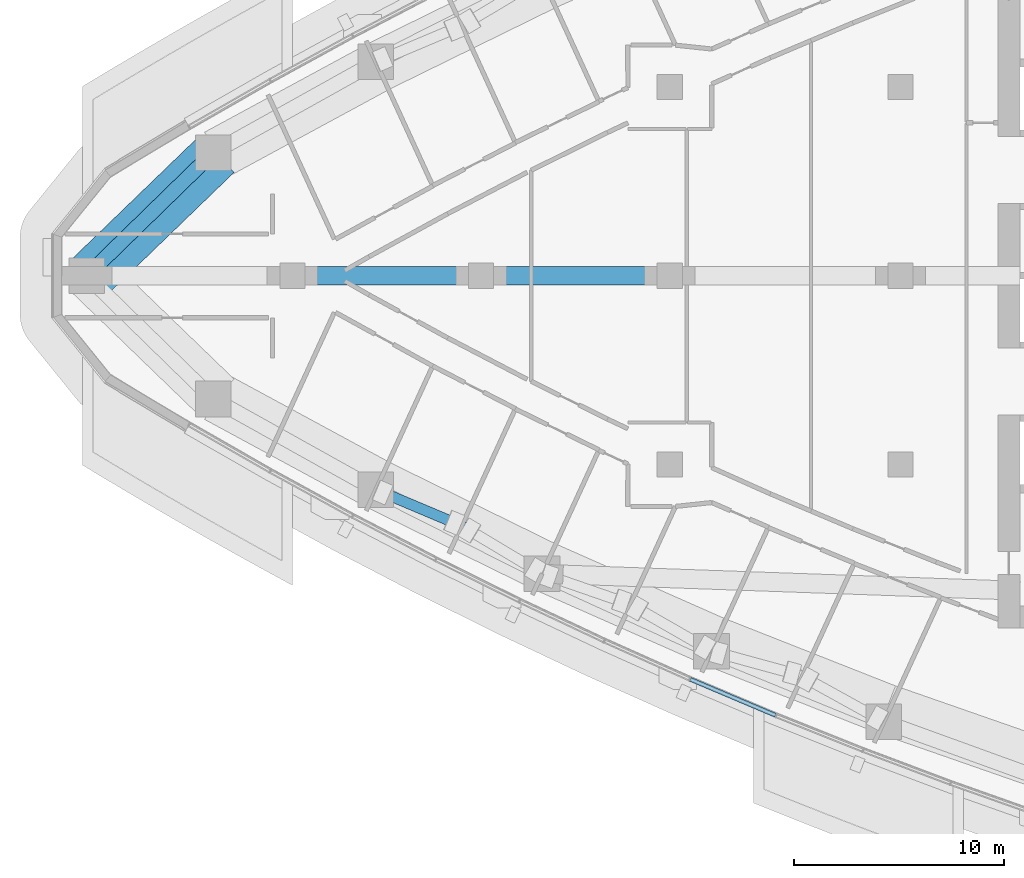
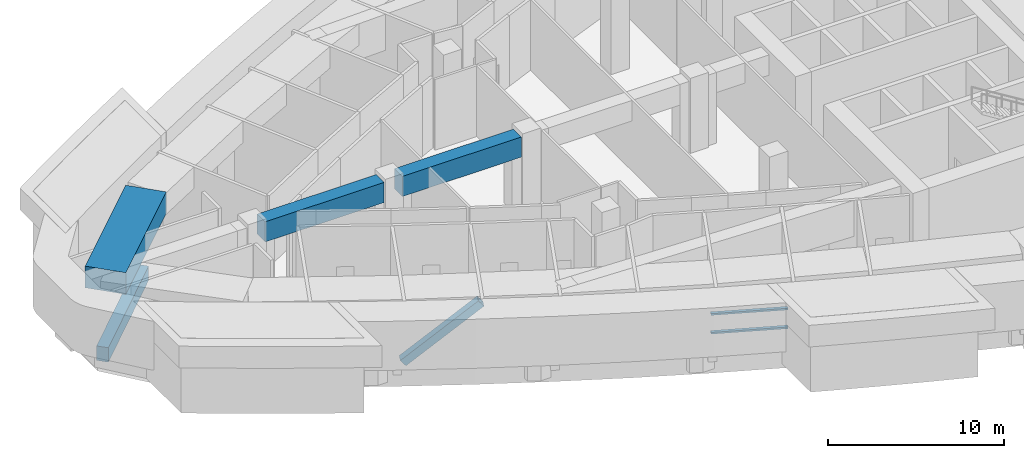
# One storey, part 3 of 19: 4 beams, 3 members, 1 element without a shape of its own.
"""IFC4 building model written with IfcOpenShell, lengths in metres."""

from ifc_helpers import new_model, si_unit, direction, frame, origin, origin_2d, place, context, subcontext, project, spatial, rectangle, hollow_rectangle, extrude, material, layer, layer_set, material_profile, profile_set, type_object, element, aggregate, save


model = new_model("IFC4")

# Units and contexts
model_context = context("Model", 3, precision=1e-05, world=origin(), true_north=direction((0.0, 1.0)))
body_context = subcontext(model_context, "Body", "Model", "MODEL_VIEW")
ifc_project = project(units=[si_unit("LENGTHUNIT", "METRE"), si_unit("AREAUNIT", "SQUARE_METRE"), si_unit("VOLUMEUNIT", "CUBIC_METRE"), si_unit("PLANEANGLEUNIT", "RADIAN"), si_unit("MASSUNIT", "GRAM", prefix="KILO")], contexts=[model_context])

# Site, building, storey
site_placement = place(None, origin())
site = spatial("IfcSite", under=ifc_project, at=site_placement, CompositionType="ELEMENT")
building_placement = place(site_placement, origin())
building = spatial("IfcBuilding", under=site, at=building_placement, Name="Ostrand Prow Hotel Tower", CompositionType="ELEMENT")
storey_placement = place(building_placement, frame((0.0, 0.0, 120.39990234375)))
storey = spatial("IfcBuildingStorey", under=building, at=storey_placement, Name="L29", CompositionType="ELEMENT", Elevation=120.39990234375)

# Member
ifc_material_1 = material(Name="Steel S355", Category="steel")
ifc_material_profile_1 = material_profile(ifc_material_1, hollow_rectangle(XDim=0.508056640625, YDim=0.508056640625, WallThickness=0.025390625, at=origin_2d()), Name="HSS508x508x25.4")
ifc_profile_set_1 = profile_set([ifc_material_profile_1], Name="Steel S355")
member_type_1 = type_object("IfcMemberType", Name="Belt brace HSS508x508x25.4", PredefinedType="BRACE", material=ifc_profile_set_1)
member_1_placement = place(storey_placement, frame((19.980712890625, -10.20166015625, 0.0), z_axis=(0.705872537209, -0.297482627445, 0.642843719408), x_axis=(0.38835986097, 0.921507796162, 0.0)))
element("IfcMember", 1, at=member_1_placement, inside=storey, type_object=member_type_1, Name="Belt brace 01", PredefinedType="BRACE", context=body_context, shape_type="SweptSolid", body=[
    extrude(hollow_rectangle(XDim=0.508056640625, YDim=0.508056640625, WallThickness=0.025390625, at=origin_2d()), origin(), (0.0, 0.0, 1.0), 5.83349609375),
])

# Beams
ifc_material_2 = material(Name="Concrete C80/95", Category="concrete")
ifc_material_profile_2 = material_profile(ifc_material_2, rectangle(XDim=2.39990234375, YDim=1.5, at=origin_2d()), Name="RC 2400x1500")
ifc_profile_set_2 = profile_set([ifc_material_profile_2], Name="Concrete C80/95")
beam_type_1 = type_object("IfcBeamType", Name="Belt girder 2400x1500 C80/95", PredefinedType="BEAM", material=ifc_profile_set_2)
beam_1_placement = place(storey_placement, frame((12.38720703125, 5.794189453125, 4.150146484375), z_axis=(-0.71936464416, -0.694632643008, 0.0), x_axis=(0.694632643008, -0.71936464416, 0.0)))
element("IfcBeam", 2, at=beam_1_placement, inside=storey, type_object=beam_type_1, Name="Belt girder N6-P", PredefinedType="BEAM", context=body_context, shape_type="SweptSolid", body=[
    extrude(rectangle(XDim=2.39990234375, YDim=1.5, at=origin_2d()), origin(), (0.0, 0.0, 1.0), 8.34130859375),
])
ifc_material_3 = material(Name="Concrete C80/95", Category="concrete")
ifc_material_profile_3 = material_profile(ifc_material_3, rectangle(XDim=0.699951171875, YDim=1.0, at=origin_2d()), Name="RC 700x1000")
ifc_profile_set_3 = profile_set([ifc_material_profile_3], Name="Concrete C80/95")
beam_type_2 = type_object("IfcBeamType", Name="Edge beam 700x1000 C80/95", PredefinedType="SPANDREL", material=ifc_profile_set_3)
beam_2_placement = place(storey_placement, frame((12.221435546875, 5.876220703125, -0.89990234375), z_axis=(-0.716082759826, -0.698015387423, 0.0), x_axis=(0.698015387423, -0.716082759826, 0.0)))
element("IfcBeam", 3, at=beam_2_placement, inside=storey, type_object=beam_type_2, Name="Edge beam N6-P", PredefinedType="SPANDREL", context=body_context, shape_type="SweptSolid", body=[
    extrude(rectangle(XDim=0.699951171875, YDim=1.0, at=origin_2d()), origin(), (0.0, 0.0, 1.0), 8.41845703125),
])
ifc_material_4 = material(Name="Concrete C80/95", Category="concrete")
ifc_material_profile_4 = material_profile(ifc_material_4, rectangle(XDim=0.89990234375, YDim=1.39990234375, at=origin_2d()), Name="RC 900x1400")
ifc_profile_set_4 = profile_set([ifc_material_profile_4], Name="Concrete C80/95")
beam_type_3 = type_object("IfcBeamType", Name="Outrigger lintel 900x1400 C80/95", PredefinedType="LINTEL", material=ifc_profile_set_4)
for number, where, z_axis, x_axis, name in (
    (4, (16.60009765625, 0.0, 4.2001953125), (1.0, 0.0, 0.0), (0.0, 1.0, 0.0), "Outrigger lintel A2"),
    (5, (25.60009765625, 0.0, 4.2001953125), (1.0, 0.0, 0.0), (0.0, 1.0, 0.0), "Outrigger lintel A3"),
):
    element("IfcBeam", number, at=place(storey_placement, frame(where, z_axis=z_axis, x_axis=x_axis)), inside=storey, type_object=beam_type_3, Name=name, PredefinedType="LINTEL", context=body_context, shape_type="SweptSolid", body=[
        extrude(rectangle(XDim=0.89990234375, YDim=1.39990234375, at=origin_2d()), origin(), (0.0, 0.0, 1.0), 7.7998046875),
    ])

# Curtain wall, members
ifc_material_5 = material(Name="Insulated glass in bronze anodised frame", Category="glass")
ifc_layer = layer(ifc_material_5, 0.199951171875)
ifc_layer_set = layer_set([ifc_layer], Name="Insulated glass in bronze anodised frame")
curtain_wall_type = type_object("IfcCurtainWallType", Name="Plant storey louvre wall", PredefinedType="NOTDEFINED", material=ifc_layer_set)
curtain_wall_placement = place(storey_placement, origin())
curtain_wall = element("IfcCurtainWall", 6, at=curtain_wall_placement, inside=storey, type_object=curtain_wall_type, Name="CW7 run CWS4", PredefinedType="NOTDEFINED")
ifc_material_6 = material(Name="Bronze anodised aluminium", Category="aluminium")
ifc_material_profile_5 = material_profile(ifc_material_6, rectangle(XDim=0.199951171875, YDim=0.1201171875, at=origin_2d()), Name="Transom 120x200 bronze anodised aluminium")
ifc_profile_set_5 = profile_set([ifc_material_profile_5], Name="Bronze anodised aluminium")
member_type_2 = type_object("IfcMemberType", Name="Transom 120x200 bronze anodised aluminium", PredefinedType="USERDEFINED", material=ifc_profile_set_5)
member_2_placement = place(storey_placement, frame((34.978271484375, -19.24462890625, 2.2001953125), z_axis=(0.921006250528, -0.389547797438, 0.0), x_axis=(0.389547797438, 0.921006250528, 0.0)))
member_2 = element("IfcMember", 7, at=member_2_placement, type_object=member_type_2, Name="CW7 transom 1.1", ObjectType="TRANSOM", PredefinedType="USERDEFINED", context=body_context, shape_type="SweptSolid", body=[
    extrude(rectangle(XDim=0.199951171875, YDim=0.1201171875, at=origin_2d()), origin(), (0.0, 0.0, 1.0), 4.406005859375),
])
member_3_placement = place(storey_placement, frame((34.978271484375, -19.24462890625, 3.5), z_axis=(0.921006250528, -0.389547797438, 0.0), x_axis=(0.389547797438, 0.921006250528, 0.0)))
member_3 = element("IfcMember", 8, at=member_3_placement, type_object=member_type_2, Name="CW7 transom 1.2", ObjectType="TRANSOM", PredefinedType="USERDEFINED", context=body_context, shape_type="SweptSolid", body=[
    extrude(rectangle(XDim=0.199951171875, YDim=0.1201171875, at=origin_2d()), origin(), (0.0, 0.0, 1.0), 4.406005859375),
])
aggregate(curtain_wall, [member_2, member_3])

save(model, "model.ifc")
